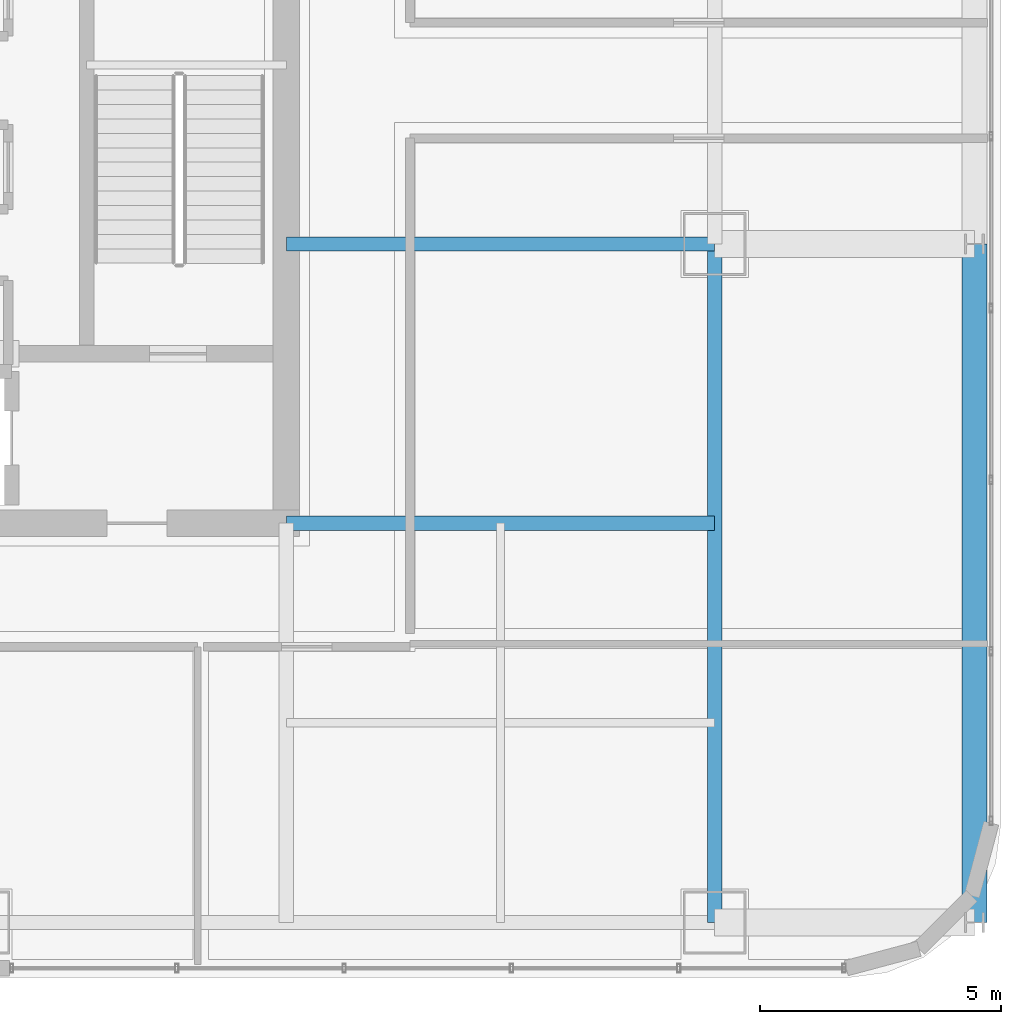
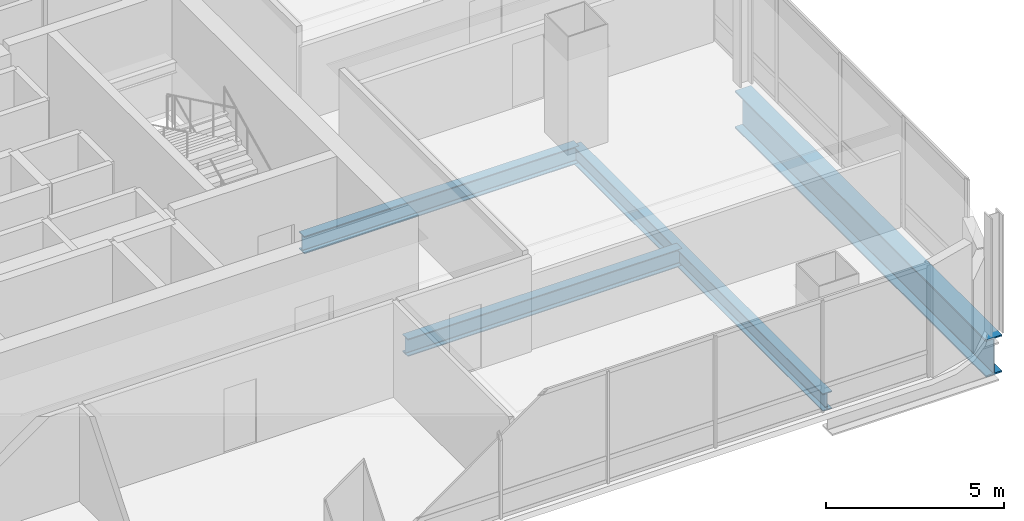
# One storey, part 14 of 44: 4 beams.
"""IFC4 building model written with IfcOpenShell, lengths in metres."""

from ifc_helpers import new_model, si_unit, direction, frame, origin, origin_2d, place, context, subcontext, project, spatial, i_section, extrude, material, material_profile, profile_set, type_object, element, save


model = new_model("IFC4")

# Units and contexts
model_context = context("Model", 3, precision=1e-05, world=origin(), true_north=direction((0.0, 1.0)))
body_context = subcontext(model_context, "Body", "Model", "MODEL_VIEW")
ifc_project = project(units=[si_unit("LENGTHUNIT", "METRE"), si_unit("AREAUNIT", "SQUARE_METRE"), si_unit("VOLUMEUNIT", "CUBIC_METRE"), si_unit("PLANEANGLEUNIT", "RADIAN"), si_unit("MASSUNIT", "GRAM", prefix="KILO")], contexts=[model_context])

# Site, building, storey
site_placement = place(None, origin())
site = spatial("IfcSite", under=ifc_project, at=site_placement, CompositionType="ELEMENT")
building_placement = place(site_placement, origin())
building = spatial("IfcBuilding", under=site, at=building_placement, Name="Punatoya Terracotta Tower", CompositionType="ELEMENT")
storey_placement = place(building_placement, frame((0.0, 0.0, 267.60009765625)))
storey = spatial("IfcBuildingStorey", under=building, at=storey_placement, Name="L63", CompositionType="ELEMENT", Elevation=267.60009765625)

# Beams
ifc_material_1 = material(Name="Steel S355", Category="steel")
ifc_material_profile_1 = material_profile(ifc_material_1, i_section(OverallWidth=0.300048828125, OverallDepth=0.60009765625, WebThickness=0.015380859375, FlangeThickness=0.030029296875, FilletRadius=0.01806640625, at=origin_2d()))
ifc_profile_set_1 = profile_set([ifc_material_profile_1], Name="Steel S355")
beam_type_1 = type_object("IfcBeamType", Name="BM-PRI-600", PredefinedType="BEAM", material=ifc_profile_set_1)
beam_1_placement = place(storey_placement, frame((19.10009765625, -17.5, -0.5), z_axis=(0.0, 1.0, 0.0), x_axis=(-1.0, 0.0, 0.0)))
element("IfcBeam", 1, at=beam_1_placement, inside=storey, type_object=beam_type_1, Name="BM-L63-RG-E1", PredefinedType="BEAM", context=body_context, shape_type="SweptSolid", body=[
    extrude(i_section(OverallWidth=0.300048828125, OverallDepth=0.60009765625, WebThickness=0.015380859375, FlangeThickness=0.030029296875, FilletRadius=0.01806640625, at=origin_2d()), origin(), (0.0, 0.0, 1.0), 14.10009765625),
])
for number, where, z_axis, x_axis, name in (
    (2, (10.199951171875, -9.199951171875, -0.5), (1.0, 0.0, 0.0), (0.0, 1.0, 0.0), "BM-L63-PR-ES"),
    (3, (10.199951171875, -3.39990234375, -0.5), (1.0, 0.0, 0.0), (0.0, 1.0, 0.0), "BM-L63-PR-ED"),
):
    element("IfcBeam", number, at=place(storey_placement, frame(where, z_axis=z_axis, x_axis=x_axis)), inside=storey, type_object=beam_type_1, Name=name, PredefinedType="BEAM", context=body_context, shape_type="SweptSolid", body=[
        extrude(i_section(OverallWidth=0.300048828125, OverallDepth=0.60009765625, WebThickness=0.015380859375, FlangeThickness=0.030029296875, FilletRadius=0.01806640625, at=origin_2d()), origin(), (0.0, 0.0, 1.0), 8.900146484375),
    ])
ifc_material_2 = material(Name="Steel S460", Category="steel")
ifc_material_profile_2 = material_profile(ifc_material_2, i_section(OverallWidth=0.52001953125, OverallDepth=1.280029296875, WebThickness=0.031982421875, FlangeThickness=0.050048828125, FilletRadius=0.01806640625, at=origin_2d()))
ifc_profile_set_2 = profile_set([ifc_material_profile_2], Name="Steel S460")
beam_type_2 = type_object("IfcBeamType", Name="BM-TG-NCK", PredefinedType="BEAM", material=ifc_profile_set_2)
beam_2_placement = place(storey_placement, frame((24.5, -17.5, -0.840087890625), z_axis=(0.0, 1.0, 0.0), x_axis=(-1.0, 0.0, 0.0)))
element("IfcBeam", 4, at=beam_2_placement, inside=storey, type_object=beam_type_2, Name="BM-L63-PER-E1", PredefinedType="BEAM", context=body_context, shape_type="SweptSolid", body=[
    extrude(i_section(OverallWidth=0.52001953125, OverallDepth=1.280029296875, WebThickness=0.031982421875, FlangeThickness=0.050048828125, FilletRadius=0.01806640625, at=origin_2d()), origin(), (0.0, 0.0, 1.0), 14.10009765625),
])

save(model, "model.ifc")
